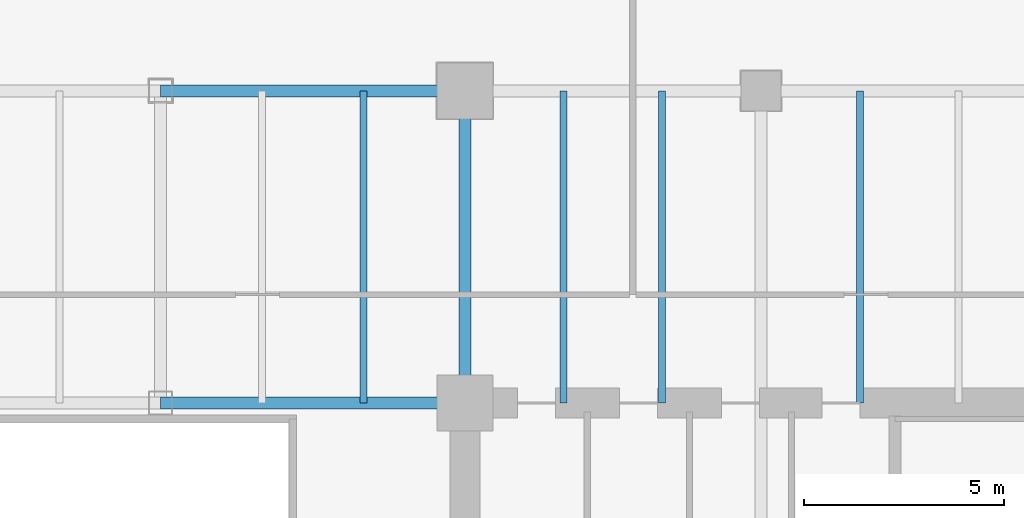
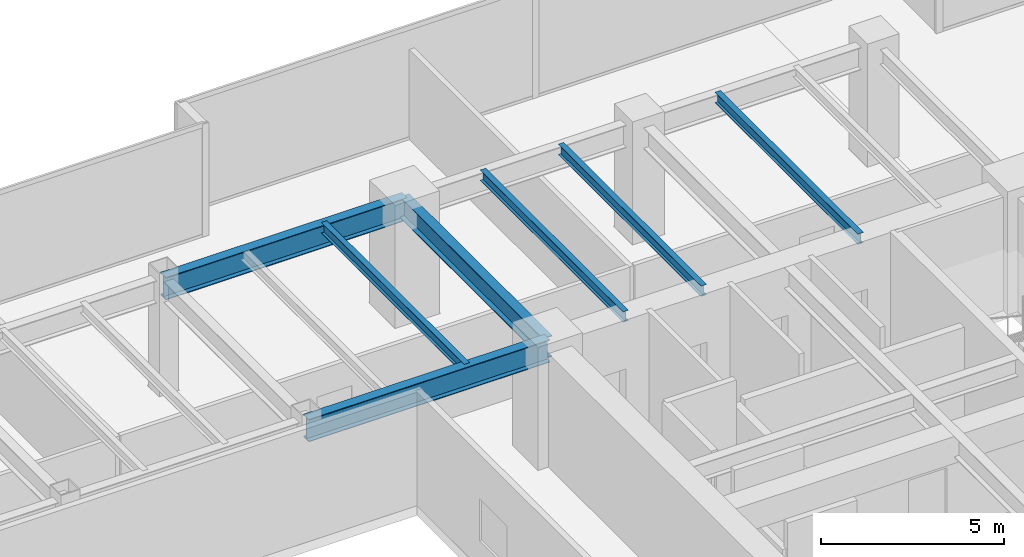
# One storey, part 19 of 36: 7 beams.
"""IFC4 building model written with IfcOpenShell, lengths in metres."""

import ifcopenshell
import ifcopenshell.guid

model = None  # the IFC model being written
_history = None  # IfcOwnerHistory: only IFC2X3 demands one
_inside = {}  # id of a spatial element -> (the spatial element, [elements in it])
_under = {}  # id of a project, library or spatial element -> (it, [spatial elements below it])
_declared = {}  # id of a project -> (the project, [libraries it declares])
_typed = {}  # id of a type object -> (the type object, [elements of that type])
_made_of = {}  # id of a material, layer set ... -> (it, [elements and type objects made of it])


def new_model(schema):
    """Start an empty IFC model of exactly this schema.

    Asked for "IFC4X3", IfcOpenShell would pick the latest addendum, in which some entities
    have other attributes; the version numbers below select the first issue.
    IFC2X3 requires an IfcOwnerHistory on every rooted entity: one is made here for all.
    """
    global model, _history
    if schema == "IFC4X3":
        model = ifcopenshell.file(schema_version=(4, 3, 0, 0))
    else:
        model = ifcopenshell.file(schema=schema)
    _inside.clear()
    _under.clear()
    _declared.clear()
    _typed.clear()
    _made_of.clear()
    _history = None
    if model.schema == "IFC2X3":
        org = make("IfcOrganization", Name="unknown")
        user = make(
            "IfcPersonAndOrganization",
            ThePerson=make("IfcPerson", FamilyName="unknown"),
            TheOrganization=org,
        )
        app = make(
            "IfcApplication",
            ApplicationDeveloper=org,
            Version="unknown",
            ApplicationFullName="unknown",
            ApplicationIdentifier="unknown",
        )
        _history = make(
            "IfcOwnerHistory",
            OwningUser=user,
            OwningApplication=app,
            ChangeAction="ADDED",
            CreationDate=0,
        )
    return model


def make(cls, **values):
    """One entity of the class cls with the attributes given. An attribute that is None is left unset."""
    return model.create_entity(
        cls, **{name: value for name, value in values.items() if value is not None}
    )


def rooted(cls, **values):
    """An entity with a GlobalId (a new one), such as an element, a storey or a relation."""
    return make(cls, GlobalId=ifcopenshell.guid.new(), OwnerHistory=_history, **values)


def si_unit(unit_type, name, prefix=None):
    """IfcSIUnit, for example si_unit("LENGTHUNIT", "METRE", prefix="MILLI")."""
    return make("IfcSIUnit", UnitType=unit_type, Prefix=prefix, Name=name)


def assignment(units):
    """IfcUnitAssignment: the units of a project."""
    return None if units is None else make("IfcUnitAssignment", Units=units)


def point(xyz):
    """IfcCartesianPoint."""
    return None if xyz is None else make("IfcCartesianPoint", Coordinates=xyz)


def direction(xyz):
    """IfcDirection."""
    return None if xyz is None else make("IfcDirection", DirectionRatios=xyz)


def frame(location, z_axis=None, x_axis=None):
    """IfcAxis2Placement3D, a coordinate frame: its origin and axes. An axis left out is left unset."""
    return make(
        "IfcAxis2Placement3D",
        Location=point(location),
        Axis=direction(z_axis),
        RefDirection=direction(x_axis),
    )


def frame_2d(location, x_axis=None):
    """IfcAxis2Placement2D, a coordinate frame in the plane: its origin and x axis."""
    return make(
        "IfcAxis2Placement2D", Location=point(location), RefDirection=direction(x_axis)
    )


def origin():
    """The frame at (0, 0, 0) with its axes left unset."""
    return frame((0.0, 0.0, 0.0))


def origin_2d():
    """The frame at (0, 0) in the plane with its x axis left unset."""
    return frame_2d((0.0, 0.0))


def place(relative_to, where):
    """IfcLocalPlacement: puts the frame where relative to a parent placement (None: the world)."""
    return make(
        "IfcLocalPlacement", PlacementRelTo=relative_to, RelativePlacement=where
    )


def context(
    kind, dimensions, precision=None, world=None, true_north=None, identifier=None
):
    """IfcGeometricRepresentationContext, for example the 3D "Model" context."""
    return make(
        "IfcGeometricRepresentationContext",
        ContextIdentifier=identifier,
        ContextType=kind,
        CoordinateSpaceDimension=dimensions,
        Precision=precision,
        WorldCoordinateSystem=world,
        TrueNorth=true_north,
    )


def subcontext(parent, identifier, kind, view, scale=None):
    """IfcGeometricRepresentationSubContext, for example "Body" below "Model"."""
    return make(
        "IfcGeometricRepresentationSubContext",
        ContextIdentifier=identifier,
        ContextType=kind,
        ParentContext=parent,
        TargetScale=scale,
        TargetView=view,
    )


def project(units=None, contexts=None):
    """IfcProject with its units and contexts."""
    return rooted(
        "IfcProject",
        Name="project",
        RepresentationContexts=contexts,
        UnitsInContext=assignment(units),
    )


def spatial(cls, under=None, at=None, **own):
    """A site, building, storey or space (cls), placed at a placement, below another one or the project."""
    s = rooted(cls, ObjectPlacement=at, **own)
    if under is not None:
        _under.setdefault(under.id(), (under, []))[1].append(s)
    return s


def profile(cls, at=None, kind="AREA", **sizes):
    """A parametric profile (cls). Its sizes go by their IFC names, for example OverallWidth=200.0."""
    return make(cls, ProfileType=kind, Position=at, **sizes)


def i_section(**sizes):
    """IfcIShapeProfileDef."""
    return profile("IfcIShapeProfileDef", **sizes)


def extrude(swept, where, along, depth):
    """IfcExtrudedAreaSolid: the profile swept, set in the frame where, extruded along a direction by depth."""
    return make(
        "IfcExtrudedAreaSolid",
        SweptArea=swept,
        Position=where,
        ExtrudedDirection=direction(along),
        Depth=depth,
    )


def shape(context_of_items, identifier, shape_type, items):
    """IfcShapeRepresentation: the items that make up one representation, for example the "Body"."""
    return make(
        "IfcShapeRepresentation",
        ContextOfItems=context_of_items,
        RepresentationIdentifier=identifier,
        RepresentationType=shape_type,
        Items=items,
    )


def source(mapping_origin, context_of_items, identifier, shape_type, items):
    """IfcRepresentationMap: a shape defined once, which mapped items show again and again."""
    return make(
        "IfcRepresentationMap",
        MappingOrigin=mapping_origin,
        MappedRepresentation=shape(context_of_items, identifier, shape_type, items),
    )


def transform(
    local_origin,
    x_axis=None,
    y_axis=None,
    z_axis=None,
    scale=None,
    scale2=None,
    scale3=None,
    uniform=True,
):
    """IfcCartesianTransformationOperator3D, or its non-uniform kind. x_axis, y_axis, z_axis: its Axis1, 2, 3."""
    if uniform:
        return make(
            "IfcCartesianTransformationOperator3D",
            Axis1=direction(x_axis),
            Axis2=direction(y_axis),
            LocalOrigin=point(local_origin),
            Scale=scale,
            Axis3=direction(z_axis),
        )
    return make(
        "IfcCartesianTransformationOperator3DnonUniform",
        Axis1=direction(x_axis),
        Axis2=direction(y_axis),
        LocalOrigin=point(local_origin),
        Scale=scale,
        Axis3=direction(z_axis),
        Scale2=scale2,
        Scale3=scale3,
    )


def mapped(mapping_source, mapping_target):
    """IfcMappedItem: shows the shape of a source again, moved by a transform."""
    return make(
        "IfcMappedItem", MappingSource=mapping_source, MappingTarget=mapping_target
    )


def material(Name=None, Category=None):
    """IfcMaterial."""
    return make("IfcMaterial", Name=Name, Category=Category)


def material_profile(
    of_material, cross_section, Name=None, Category=None, Priority=None
):
    """IfcMaterialProfile: a cross section and its material."""
    return make(
        "IfcMaterialProfile",
        Name=Name,
        Material=of_material,
        Profile=cross_section,
        Priority=Priority,
        Category=Category,
    )


def profile_set(profiles, Name=None, composite=None):
    """IfcMaterialProfileSet."""
    return make(
        "IfcMaterialProfileSet",
        Name=Name,
        MaterialProfiles=profiles,
        CompositeProfile=composite,
    )


def made_of(thing, what):
    """Note that an element or type object is made of a material, layer set ...; save() writes the relation."""
    if what is not None:
        _made_of.setdefault(what.id(), (what, []))[1].append(thing)
    return thing


def type_object(cls, material=None, **own):
    """A type object (cls), such as IfcWallType, which elements share."""
    return made_of(rooted(cls, **own), material)


def type_shapes(of_type, sources):
    """Give a type object the sources (RepresentationMaps) that its elements show as mapped items."""
    of_type.RepresentationMaps = sources


def element(
    cls,
    number,
    at=None,
    inside=None,
    cuts=None,
    type_object=None,
    material=None,
    context=None,
    identifier="Body",
    shape_type=None,
    held_by="IfcProductDefinitionShape",
    body=None,
    shapes=None,
    **own,
):
    """One element of the class cls, such as IfcWall. Its Tag is "e" and its number.

    at: its placement. inside: the storey or other place that contains it. cuts: it is an
    opening in that element (IfcRelVoidsElement). A single representation is given by context,
    identifier, shape_type and body (its items); several are given by shapes. held_by: the class
    of the entity that holds the representations. save() writes the other relations.
    """
    e = rooted(cls, Tag="e%d" % number, ObjectPlacement=at, **own)
    if body is not None:
        shapes = [shape(context, identifier, shape_type, body)]
    if shapes is not None:
        e.Representation = make(held_by, Representations=shapes)
    if inside is not None:
        _inside.setdefault(inside.id(), (inside, []))[1].append(e)
    if cuts is not None:
        rooted(
            "IfcRelVoidsElement", RelatingBuildingElement=cuts, RelatedOpeningElement=e
        )
    if type_object is not None:
        _typed.setdefault(type_object.id(), (type_object, []))[1].append(e)
    return made_of(e, material)


def aggregate(whole, parts):
    """IfcRelAggregates: a whole, such as a stair, and the parts it consists of."""
    return rooted("IfcRelAggregates", RelatingObject=whole, RelatedObjects=parts)


def save(model, path):
    """Write the relations noted so far, then the file.

    IfcRelAggregates (storeys below a building ...), IfcRelContainedInSpatialStructure (elements
    in a storey), IfcRelDefinesByType, IfcRelAssociatesMaterial and IfcRelDeclares: one each for
    every whole, place, type object, material and project.
    """
    for whole, parts in _under.values():
        aggregate(whole, parts)
    for where, things in _inside.values():
        rooted(
            "IfcRelContainedInSpatialStructure",
            RelatedElements=things,
            RelatingStructure=where,
        )
    for kind, things in _typed.values():
        rooted("IfcRelDefinesByType", RelatedObjects=things, RelatingType=kind)
    for what, things in _made_of.values():
        rooted("IfcRelAssociatesMaterial", RelatedObjects=things, RelatingMaterial=what)
    for by, libraries in _declared.values():
        rooted("IfcRelDeclares", RelatingContext=by, RelatedDefinitions=libraries)
    model.write(path)


model = new_model("IFC4")

# Units and contexts
model_context = context("Model", 3, precision=1e-05, world=origin(), true_north=direction((0.0, 1.0)))
body_context = subcontext(model_context, "Body", "Model", "MODEL_VIEW")
ifc_project = project(units=[si_unit("LENGTHUNIT", "METRE"), si_unit("AREAUNIT", "SQUARE_METRE"), si_unit("VOLUMEUNIT", "CUBIC_METRE"), si_unit("PLANEANGLEUNIT", "RADIAN"), si_unit("MASSUNIT", "GRAM", prefix="KILO")], contexts=[model_context])

# Site, building, storey
site_placement = place(None, origin())
site = spatial("IfcSite", under=ifc_project, at=site_placement, CompositionType="ELEMENT")
building_placement = place(site_placement, origin())
building = spatial("IfcBuilding", under=site, at=building_placement, Name="Haelvirn Gate Laboratories", CompositionType="ELEMENT")
storey_placement = place(building_placement, frame((0.0, 0.0, 49.800048828125)))
storey = spatial("IfcBuildingStorey", under=building, at=storey_placement, Name="L12", CompositionType="ELEMENT", Elevation=49.800048828125)

# Beams
ifc_material = material(Name="Steel SM355", Category="steel")
ifc_material_profile_1 = material_profile(ifc_material, i_section(OverallWidth=0.300048828125, OverallDepth=0.699951171875, WebThickness=0.012939453125, FlangeThickness=0.02392578125, at=origin_2d()), Name="H-700x300x13x24")
ifc_profile_set_1 = profile_set([ifc_material_profile_1], Name="Steel SM355")
beam_type_1 = type_object("IfcBeamType", Name="BM-G-700", PredefinedType="BEAM", material=ifc_profile_set_1)
shared_shape_1 = source(origin(), body_context, "Body", "SweptSolid", [
    extrude(i_section(OverallWidth=0.300048828125, OverallDepth=0.699951171875, WebThickness=0.012939453125, FlangeThickness=0.02392578125, at=origin_2d()), origin(), (0.0, 0.0, 1.0), 7.800048828125),
])
type_shapes(beam_type_1, [shared_shape_1])
beam_placement = place(storey_placement, frame((52.60009765625, 33.800048828125, 3.429931640625), z_axis=(0.0, 1.0, 0.0), x_axis=(-1.0, 0.0, 0.0)))
element("IfcBeam", 1, at=beam_placement, inside=storey, type_object=beam_type_1, Name="L12 Frame Girder X52.6 (33.8-41.6)", PredefinedType="BEAM", context=body_context, shape_type="MappedRepresentation", body=[
    mapped(shared_shape_1, transform((0.0, 0.0, 0.0), scale=1.0)),
])
ifc_material_profile_2 = material_profile(ifc_material, i_section(OverallWidth=0.300048828125, OverallDepth=0.75, WebThickness=0.013916015625, FlangeThickness=0.02392578125, at=origin_2d()), Name="H-750x300x14x24")
ifc_profile_set_2 = profile_set([ifc_material_profile_2], Name="Steel SM355")
beam_type_2 = type_object("IfcBeamType", Name="BM-G-750", PredefinedType="BEAM", material=ifc_profile_set_2)
shared_shape_2 = source(origin(), body_context, "Body", "SweptSolid", [
    extrude(i_section(OverallWidth=0.300048828125, OverallDepth=0.75, WebThickness=0.013916015625, FlangeThickness=0.02392578125, at=origin_2d()), origin(), (0.0, 0.0, 1.0), 7.60009765625),
])
type_shapes(beam_type_2, [shared_shape_2])
for number, where, z_axis, x_axis, name in (
    (2, (45.0, 33.800048828125, 3.405029296875), (1.0, 0.0, 0.0), (0.0, 1.0, 0.0), "L12 Primary Girder Y33.8 (45.0-52.6)"),
    (3, (45.0, 41.60009765625, 3.405029296875), (1.0, 0.0, 0.0), (0.0, 1.0, 0.0), "L12 Primary Girder Y41.6 (45.0-52.6)"),
):
    element("IfcBeam", number, at=place(storey_placement, frame(where, z_axis=z_axis, x_axis=x_axis)), inside=storey, type_object=beam_type_2, Name=name, PredefinedType="BEAM", context=body_context, shape_type="MappedRepresentation", body=[
        mapped(shared_shape_2, transform((0.0, 0.0, 0.0), scale=1.0)),
    ])
ifc_material_profile_3 = material_profile(ifc_material, i_section(OverallWidth=0.175048828125, OverallDepth=0.35009765625, WebThickness=0.007080078125, FlangeThickness=0.010986328125, at=origin_2d()), Name="H-350x175x7x11")
ifc_profile_set_3 = profile_set([ifc_material_profile_3], Name="Steel SM355")
beam_type_3 = type_object("IfcBeamType", Name="BM-J-350", PredefinedType="JOIST", material=ifc_profile_set_3)
shared_shape_3 = source(origin(), body_context, "Body", "SweptSolid", [
    extrude(i_section(OverallWidth=0.175048828125, OverallDepth=0.35009765625, WebThickness=0.007080078125, FlangeThickness=0.010986328125, at=origin_2d()), origin(), (0.0, 0.0, 1.0), 7.800048828125),
])
type_shapes(beam_type_3, [shared_shape_3])
for number, where, z_axis, x_axis, name in (
    (4, (50.070068359375, 33.800048828125, 3.60498046875), (0.0, 1.0, 0.0), (-1.0, 0.0, 0.0), "L12 Composite Lab Joist North X50.07"),
    (5, (55.070068359375, 33.800048828125, 3.60498046875), (0.0, 1.0, 0.0), (-1.0, 0.0, 0.0), "L12 Composite Lab Joist North X55.07"),
    (6, (57.530029296875, 33.800048828125, 3.60498046875), (0.0, 1.0, 0.0), (-1.0, 0.0, 0.0), "L12 Composite Lab Joist North X57.53"),
    (7, (62.469970703125, 33.800048828125, 3.60498046875), (0.0, 1.0, 0.0), (-1.0, 0.0, 0.0), "L12 Composite Lab Joist North X62.47"),
):
    element("IfcBeam", number, at=place(storey_placement, frame(where, z_axis=z_axis, x_axis=x_axis)), inside=storey, type_object=beam_type_3, Name=name, PredefinedType="JOIST", context=body_context, shape_type="MappedRepresentation", body=[
        mapped(shared_shape_3, transform((0.0, 0.0, 0.0), scale=1.0)),
    ])

save(model, "model.ifc")
